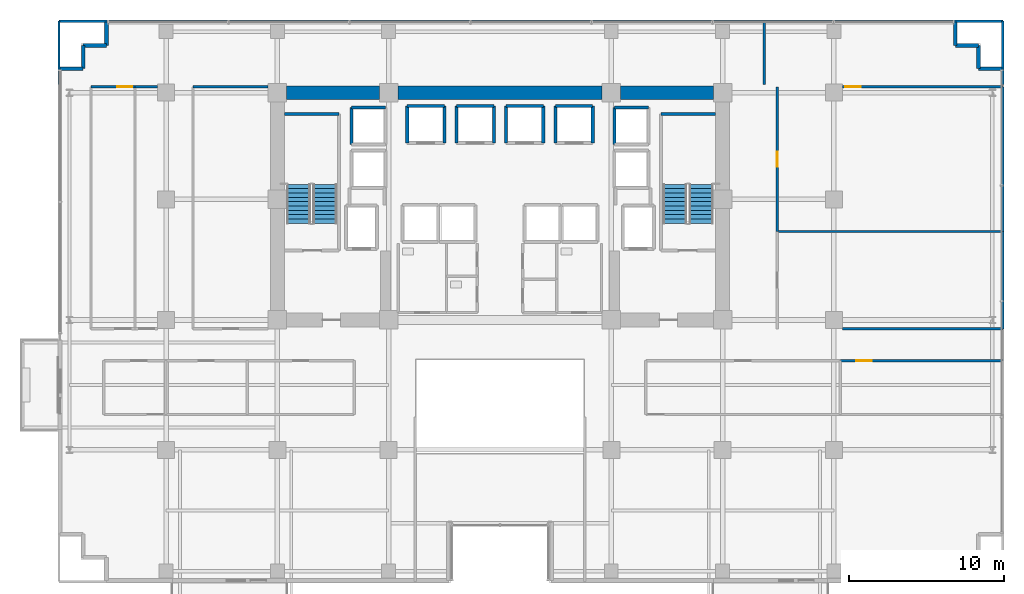
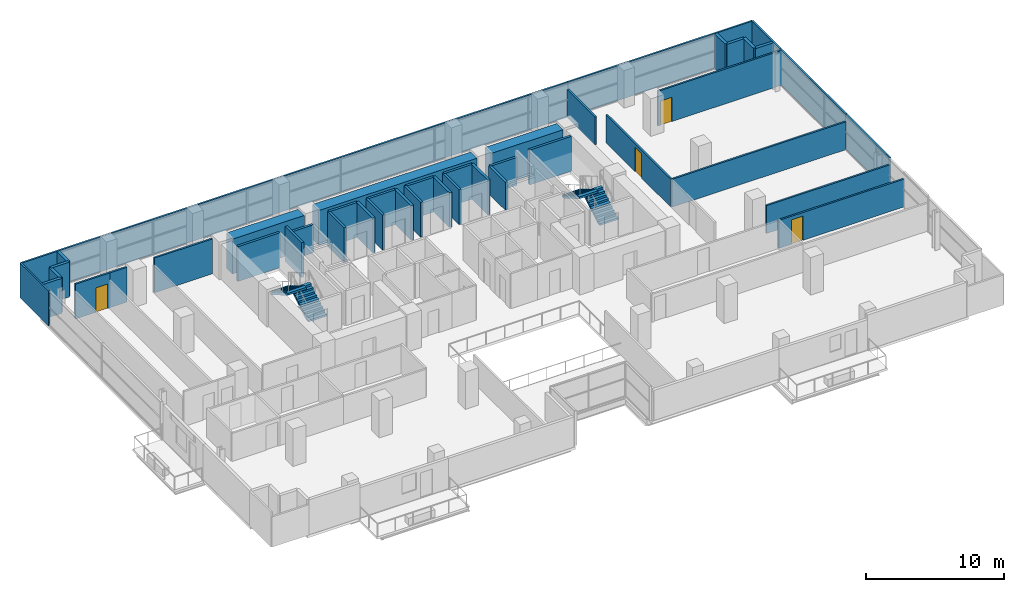
# One storey, part 27 of 31: 44 walls, 4 doors, 4 stair flights, 4 openings, 2 elements without a shape of their own.
"""IFC4 building model written with IfcOpenShell, lengths in metres."""

from ifc_helpers import new_model, si_unit, direction, frame, frame_2d, origin, place, context, subcontext, project, spatial, polyline, rectangle, outline, extrude, source, transform, mapped, material, layer, layer_set, type_object, element, fill, aggregate, save


model = new_model("IFC4")

# Units and contexts
model_context = context("Model", 3, precision=1e-05, world=origin(), true_north=direction((0.0, 1.0)))
body_context = subcontext(model_context, "Body", "Model", "MODEL_VIEW")
ifc_project = project(units=[si_unit("LENGTHUNIT", "METRE"), si_unit("AREAUNIT", "SQUARE_METRE"), si_unit("VOLUMEUNIT", "CUBIC_METRE"), si_unit("PLANEANGLEUNIT", "RADIAN"), si_unit("MASSUNIT", "GRAM", prefix="KILO")], contexts=[model_context])

# Site, building, storey
site_placement = place(None, origin())
site = spatial("IfcSite", under=ifc_project, at=site_placement, CompositionType="ELEMENT")
building_placement = place(site_placement, origin())
building = spatial("IfcBuilding", under=site, at=building_placement, Name="Zarnakvel Exchange Tower", CompositionType="ELEMENT")
storey_placement = place(building_placement, frame((0.0, 0.0, 67.0)))
storey = spatial("IfcBuildingStorey", under=building, at=storey_placement, Name="L18", CompositionType="ELEMENT", Elevation=67.0)

# Walls
ifc_material_1 = material(Name="Concrete C80/95", Category="concrete")
ifc_layer_1 = layer(ifc_material_1, 0.89990234375)
ifc_layer_set_1 = layer_set([ifc_layer_1], Name="Concrete C80/95")
wall_type_1 = type_object("IfcWallType", Name="CW-C1", PredefinedType="SHEAR", material=ifc_layer_set_1)
wall_1_placement = place(storey_placement, frame((-13.800048828125, 13.5, 0.0), z_axis=(0.0, 0.0, 1.0), x_axis=(1.0, 0.0, 0.0)))
element("IfcWall", 1, at=wall_1_placement, inside=storey, type_object=wall_type_1, Name="L18 Rear Core Shear Wall N1 (CW-C1)", PredefinedType="SHEAR", context=body_context, shape_type="SweptSolid", body=[
    extrude(rectangle(XDim=6.0, YDim=0.89990234375, at=frame_2d((3.0, 0.0))), origin(), (0.0, 0.0, 1.0), 3.074951171875),
])
wall_2_placement = place(storey_placement, frame((-6.60009765625, 13.5, 0.0), z_axis=(0.0, 0.0, 1.0), x_axis=(1.0, 0.0, 0.0)))
element("IfcWall", 2, at=wall_2_placement, inside=storey, type_object=wall_type_1, Name="L18 Rear Core Shear Wall N2 (CW-C1)", PredefinedType="SHEAR", context=body_context, shape_type="SweptSolid", body=[
    extrude(rectangle(XDim=13.2001953125, YDim=0.89990234375, at=frame_2d((6.60009765625, 0.0))), origin(), (0.0, 0.0, 1.0), 3.074951171875),
])
wall_3_placement = place(storey_placement, frame((7.800048828125, 13.5, 0.0), z_axis=(0.0, 0.0, 1.0), x_axis=(1.0, 0.0, 0.0)))
element("IfcWall", 3, at=wall_3_placement, inside=storey, type_object=wall_type_1, Name="L18 Rear Core Shear Wall N3 (CW-C1)", PredefinedType="SHEAR", context=body_context, shape_type="SweptSolid", body=[
    extrude(rectangle(XDim=6.0, YDim=0.89990234375, at=frame_2d((3.0, 0.0))), origin(), (0.0, 0.0, 1.0), 3.074951171875),
])
ifc_material_2 = material(Name="Precast concrete C40/50", Category="concrete")
ifc_layer_2 = layer(ifc_material_2, 0.239990234375)
ifc_layer_set_2 = layer_set([ifc_layer_2], Name="Precast concrete C40/50")
wall_type_2 = type_object("IfcWallType", Name="EW-02", PredefinedType="SOLIDWALL", material=ifc_layer_set_2)
for number, where, z_axis, x_axis, name in (
    (4, (-26.9599609375, 15.06005859375, 0.0), (0.0, 0.0, 1.0), (-1.0, 0.0, 0.0), "L18 Exterior Precast Spandrel Wall EWC-L18-03 (EW-02)"),
    (5, (-26.9599609375, 16.56005859375, 0.0), (0.0, 0.0, 1.0), (0.0, -1.0, 0.0), "L18 Exterior Precast Spandrel Wall EWC-L18-04 (EW-02)"),
    (6, (-25.4599609375, 16.56005859375, 0.0), (0.0, 0.0, 1.0), (-1.0, 0.0, 0.0), "L18 Exterior Precast Spandrel Wall EWC-L18-05 (EW-02)"),
    (7, (-25.4599609375, 18.06005859375, 0.0), (0.0, 0.0, 1.0), (0.0, -1.0, 0.0), "L18 Exterior Precast Spandrel Wall EWC-L18-06 (EW-02)"),
    (8, (29.4599609375, 16.56005859375, 0.0), (0.0, 0.0, 1.0), (0.0, 1.0, 0.0), "L18 Exterior Precast Spandrel Wall EWC-L18-07 (EW-02)"),
    (9, (30.9599609375, 16.56005859375, 0.0), (0.0, 0.0, 1.0), (-1.0, 0.0, 0.0), "L18 Exterior Precast Spandrel Wall EWC-L18-08 (EW-02)"),
    (10, (30.9599609375, 15.06005859375, 0.0), (0.0, 0.0, 1.0), (0.0, 1.0, 0.0), "L18 Exterior Precast Spandrel Wall EWC-L18-09 (EW-02)"),
    (11, (32.4599609375, 15.06005859375, 0.0), (0.0, 0.0, 1.0), (-1.0, 0.0, 0.0), "L18 Exterior Precast Spandrel Wall EWC-L18-10 (EW-02)"),
):
    element("IfcWall", number, at=place(storey_placement, frame(where, z_axis=z_axis, x_axis=x_axis)), inside=storey, type_object=wall_type_2, Name=name, PredefinedType="SOLIDWALL", context=body_context, shape_type="SweptSolid", body=[
        extrude(rectangle(XDim=1.5, YDim=0.239990234375, at=frame_2d((0.75, 0.0))), origin(), (0.0, 0.0, 1.0), 3.074951171875),
    ])

# Wall, opening, door
ifc_material_3 = material(Name="Fire-Rated Gypsum Stud Partition", Category="gypsum")
ifc_layer_3 = layer(ifc_material_3, 0.14990234375)
ifc_layer_set_3 = layer_set([ifc_layer_3], Name="Fire-Rated Gypsum Stud Partition")
wall_type_3 = type_object("IfcWallType", Name="PT-01", PredefinedType="PARTITIONING", material=ifc_layer_set_3)
wall_4_placement = place(storey_placement, frame((22.015380859375, -3.830078125, 0.0), z_axis=(0.0, 0.0, 1.0), x_axis=(1.0, 0.0, 0.0)))
wall_4 = element("IfcWall", 12, at=wall_4_placement, inside=storey, type_object=wall_type_3, Name="L18 Partition Wall PWALL-L18-044 (PT-01)", PredefinedType="PARTITIONING", context=body_context, shape_type="SweptSolid", body=[
    extrude(rectangle(XDim=10.5146484375, YDim=0.14990234375, at=frame_2d((5.25732421875, 0.0))), origin(), (0.0, 0.0, 1.0), 2.465087890625),
])
opening_1_placement = place(wall_4_placement, frame((1.04248046875, 0.0, 0.0)))
opening_1 = element("IfcOpeningElement", 13, at=opening_1_placement, cuts=wall_4, Name="Opening D-L18-16", PredefinedType="OPENING", context=body_context, shape_type="SweptSolid", body=[
    extrude(rectangle(XDim=0.97998046875, YDim=2.14990234375, at=frame_2d((0.489990234375, 1.074951171875))), frame((0.0, 0.0849609375, 0.0), z_axis=(0.0, -1.0, 0.0), x_axis=(1.0, 0.0, 0.0)), (0.0, 0.0, 1.0), 0.169921875),
])
ifc_material_4 = material(Name="Timber Acoustic Veneer", Category="wood")
door_type = type_object("IfcDoorType", Name="DT-05", OperationType="NOTDEFINED", PredefinedType="DOOR", material=ifc_material_4)
shared_shape = source(origin(), body_context, "Body", "SweptSolid", [
    extrude(rectangle(XDim=0.97998046875, YDim=2.14990234375, at=frame_2d((0.489990234375, 1.074951171875))), frame((0.0, 0.02490234375, 0.0), z_axis=(0.0, -1.0, 0.0), x_axis=(1.0, 0.0, 0.0)), (0.0, 0.0, 1.0), 0.050048828125),
])
door_1_placement = place(opening_1_placement, origin())
door_1 = element("IfcDoor", 14, at=door_1_placement, inside=storey, type_object=door_type, Name="L18 Executive Office Door D-L18-16", OperationType="SINGLE_SWING_RIGHT", OverallHeight=2.14990234375, OverallWidth=0.97998046875, PredefinedType="DOOR", context=body_context, shape_type="MappedRepresentation", body=[
    mapped(shared_shape, transform((0.0, 0.0, 0.0), x_axis=(1.0, 0.0, 0.0), y_axis=(0.0, 1.0, 0.0), z_axis=(0.0, 0.0, 1.0), scale=1.0)),
])
fill(opening_1, door_1)

wall_5_placement = place(storey_placement, frame((-26.451171875, 13.8798828125, 0.0), z_axis=(0.0, 0.0, 1.0), x_axis=(1.0, 0.0, 0.0)))
wall_5 = element("IfcWall", 15, at=wall_5_placement, inside=storey, type_object=wall_type_3, Name="L18 Partition Wall PWALL-L18-050 (PT-01)", PredefinedType="PARTITIONING", context=body_context, shape_type="SweptSolid", body=[
    extrude(rectangle(XDim=2.84619140625, YDim=0.14990234375, at=frame_2d((1.423095703125, 0.0))), origin(), (0.0, 0.0, 1.0), 3.074951171875),
])
opening_2_placement = place(wall_5_placement, frame((1.686279296875, 0.0, 0.0)))
opening_2 = element("IfcOpeningElement", 16, at=opening_2_placement, cuts=wall_5, Name="Opening D-L18-23", PredefinedType="OPENING", context=body_context, shape_type="SweptSolid", body=[
    extrude(rectangle(XDim=0.97998046875, YDim=2.14990234375, at=frame_2d((0.489990234375, 1.074951171875))), frame((0.0, 0.0849609375, 0.0), z_axis=(0.0, -1.0, 0.0), x_axis=(1.0, 0.0, 0.0)), (0.0, 0.0, 1.0), 0.169921875),
])
door_2_placement = place(opening_2_placement, origin())
door_2 = element("IfcDoor", 17, at=door_2_placement, inside=storey, type_object=door_type, Name="L18 Risk Analytics Suite Door D-L18-23", OperationType="SINGLE_SWING_LEFT", OverallHeight=2.14990234375, OverallWidth=0.97998046875, PredefinedType="DOOR", context=body_context, shape_type="MappedRepresentation", body=[
    mapped(shared_shape, transform((0.0, 0.0, 0.0), x_axis=(1.0, 0.0, 0.0), y_axis=(0.0, 1.0, 0.0), z_axis=(0.0, 0.0, 1.0), scale=1.0)),
])
fill(opening_2, door_2)

# Walls
wall_6_placement = place(storey_placement, frame((-23.60498046875, 13.8798828125, 0.0), z_axis=(0.0, 0.0, 1.0), x_axis=(1.0, 0.0, 0.0)))
element("IfcWall", 18, at=wall_6_placement, inside=storey, type_object=wall_type_3, Name="L18 Partition Wall PWALL-L18-054 (PT-01)", PredefinedType="PARTITIONING", context=body_context, shape_type="SweptSolid", body=[
    extrude(rectangle(XDim=1.43505859375, YDim=0.14990234375, at=frame_2d((0.717529296875, 0.0))), origin(), (0.0, 0.0, 1.0), 3.074951171875),
])
wall_7_placement = place(storey_placement, frame((-19.863037109375, 13.8798828125, 0.0), z_axis=(0.0, 0.0, 1.0), x_axis=(1.0, 0.0, 0.0)))
element("IfcWall", 19, at=wall_7_placement, inside=storey, type_object=wall_type_3, Name="L18 Partition Wall PWALL-L18-057 (PT-01)", PredefinedType="PARTITIONING", context=body_context, shape_type="SweptSolid", body=[
    extrude(rectangle(XDim=4.843017578125, YDim=0.14990234375, at=frame_2d((2.42138671875, 0.0))), origin(), (0.0, 0.0, 1.0), 3.074951171875),
])
wall_8_placement = place(storey_placement, frame((32.530029296875, -1.77001953125, 0.0), z_axis=(0.0, 0.0, 1.0), x_axis=(-1.0, 0.0, 0.0)))
element("IfcWall", 20, at=wall_8_placement, inside=storey, type_object=wall_type_3, Name="L18 Partition Wall PWALL-L18-058 (PT-01)", PredefinedType="PARTITIONING", context=body_context, shape_type="SweptSolid", body=[
    extrude(rectangle(XDim=10.360107421875, YDim=0.14990234375, at=frame_2d((5.18017578125, 0.0))), origin(), (0.0, 0.0, 1.0), 2.465087890625),
])
wall_9_placement = place(storey_placement, frame((17.929931640625, 4.52197265625, 0.0), z_axis=(0.0, 0.0, 1.0), x_axis=(1.0, 0.0, 0.0)))
element("IfcWall", 21, at=wall_9_placement, inside=storey, type_object=wall_type_3, Name="L18 Partition Wall PWALL-L18-059 (PT-01)", PredefinedType="PARTITIONING", context=body_context, shape_type="SweptSolid", body=[
    extrude(rectangle(XDim=14.60009765625, YDim=0.14990234375, at=frame_2d((7.300048828125, 0.0))), origin(), (0.0, 0.0, 1.0), 2.465087890625),
])
wall_10_placement = place(storey_placement, frame((32.530029296875, 4.52197265625, 0.0), z_axis=(0.0, 0.0, 1.0), x_axis=(0.0, -1.0, 0.0)))
element("IfcWall", 22, at=wall_10_placement, inside=storey, type_object=wall_type_3, Name="L18 Partition Wall PWALL-L18-061 (PT-01)", PredefinedType="PARTITIONING", context=body_context, shape_type="SweptSolid", body=[
    extrude(rectangle(XDim=6.2919921875, YDim=0.14990234375, at=frame_2d((3.14599609375, 0.0))), origin(), (0.0, 0.0, 1.0), 3.074951171875),
])

# Wall, opening, door
wall_11_placement = place(storey_placement, frame((22.169921875, 13.8798828125, 0.0), z_axis=(0.0, 0.0, 1.0), x_axis=(1.0, 0.0, 0.0)))
wall_11 = element("IfcWall", 23, at=wall_11_placement, inside=storey, type_object=wall_type_3, Name="L18 Partition Wall PWALL-L18-062 (PT-01)", PredefinedType="PARTITIONING", context=body_context, shape_type="SweptSolid", body=[
    extrude(rectangle(XDim=10.360107421875, YDim=0.14990234375, at=frame_2d((5.18017578125, 0.0))), origin(), (0.0, 0.0, 1.0), 3.074951171875),
])
opening_3_placement = place(wall_11_placement, frame((0.179931640625, 0.0, 0.0)))
opening_3 = element("IfcOpeningElement", 24, at=opening_3_placement, cuts=wall_11, Name="Opening D-L18-24", PredefinedType="OPENING", context=body_context, shape_type="SweptSolid", body=[
    extrude(rectangle(XDim=0.97998046875, YDim=2.14990234375, at=frame_2d((0.489990234375, 1.074951171875))), frame((0.0, 0.0849609375, 0.0), z_axis=(0.0, -1.0, 0.0), x_axis=(1.0, 0.0, 0.0)), (0.0, 0.0, 1.0), 0.169921875),
])
door_3_placement = place(opening_3_placement, origin())
door_3 = element("IfcDoor", 25, at=door_3_placement, inside=storey, type_object=door_type, Name="L18 Members Lounge Door D-L18-24", OperationType="SINGLE_SWING_RIGHT", OverallHeight=2.14990234375, OverallWidth=0.97998046875, PredefinedType="DOOR", context=body_context, shape_type="MappedRepresentation", body=[
    mapped(shared_shape, transform((0.0, 0.0, 0.0), x_axis=(1.0, 0.0, 0.0), y_axis=(0.0, 1.0, 0.0), z_axis=(0.0, 0.0, 1.0), scale=1.0)),
])
fill(opening_3, door_3)

wall_12_placement = place(storey_placement, frame((17.929931640625, 4.52197265625, 0.0), z_axis=(0.0, 0.0, 1.0), x_axis=(0.0, 1.0, 0.0)))
wall_12 = element("IfcWall", 26, at=wall_12_placement, inside=storey, type_object=wall_type_3, Name="L18 Partition Wall PWALL-L18-063 (PT-01)", PredefinedType="PARTITIONING", context=body_context, shape_type="SweptSolid", body=[
    extrude(rectangle(XDim=9.35791015625, YDim=0.14990234375, at=frame_2d((4.678955078125, 0.0))), origin(), (0.0, 0.0, 1.0), 2.465087890625),
])
opening_4_placement = place(wall_12_placement, frame((4.18896484375, 0.0, 0.0)))
opening_4 = element("IfcOpeningElement", 27, at=opening_4_placement, cuts=wall_12, Name="Opening D-L18-22", PredefinedType="OPENING", context=body_context, shape_type="SweptSolid", body=[
    extrude(rectangle(XDim=0.97998046875, YDim=2.14990234375, at=frame_2d((0.489990234375, 1.074951171875))), frame((0.0, 0.0849609375, 0.0), z_axis=(0.0, -1.0, 0.0), x_axis=(1.0, 0.0, 0.0)), (0.0, 0.0, 1.0), 0.169921875),
])
door_4_placement = place(opening_4_placement, origin())
door_4 = element("IfcDoor", 28, at=door_4_placement, inside=storey, type_object=door_type, Name="L18 Risk Analytics Suite Door D-L18-22", OperationType="SINGLE_SWING_RIGHT", OverallHeight=2.14990234375, OverallWidth=0.97998046875, PredefinedType="DOOR", context=body_context, shape_type="MappedRepresentation", body=[
    mapped(shared_shape, transform((0.0, 0.0, 0.0), x_axis=(1.0, 0.0, 0.0), y_axis=(0.0, 1.0, 0.0), z_axis=(0.0, 0.0, 1.0), scale=1.0)),
])
fill(opening_4, door_4)

# Walls
wall_13_placement = place(storey_placement, frame((32.530029296875, 13.8798828125, 0.0), z_axis=(0.0, 0.0, 1.0), x_axis=(0.0, -1.0, 0.0)))
element("IfcWall", 29, at=wall_13_placement, inside=storey, type_object=wall_type_3, Name="L18 Partition Wall PWALL-L18-064 (PT-01)", PredefinedType="PARTITIONING", context=body_context, shape_type="SweptSolid", body=[
    extrude(rectangle(XDim=9.35791015625, YDim=0.14990234375, at=frame_2d((4.678955078125, 0.0))), origin(), (0.0, 0.0, 1.0), 3.074951171875),
])
wall_14_placement = place(storey_placement, frame((-28.530029296875, 18.1298828125, 0.0), z_axis=(0.0, 0.0, 1.0), x_axis=(1.0, 0.0, 0.0)))
element("IfcWall", 30, at=wall_14_placement, inside=storey, type_object=wall_type_3, Name="L18 Partition Wall PWALL-L18-065 (PT-01)", PredefinedType="PARTITIONING", context=body_context, shape_type="SweptSolid", body=[
    extrude(rectangle(XDim=45.630126953125, YDim=0.14990234375, at=frame_2d((22.81494140625, 0.0))), origin(), (0.0, 0.0, 1.0), 3.074951171875),
])
wall_15_placement = place(storey_placement, frame((-28.530029296875, 14.030029296875, 0.0), z_axis=(0.0, 0.0, 1.0), x_axis=(0.0, 1.0, 0.0)))
element("IfcWall", 31, at=wall_15_placement, inside=storey, type_object=wall_type_3, Name="L18 Partition Wall PWALL-L18-066 (PT-01)", PredefinedType="PARTITIONING", context=body_context, shape_type="SweptSolid", body=[
    extrude(rectangle(XDim=4.099853515625, YDim=0.14990234375, at=frame_2d((2.0498046875, 0.0))), origin(), (0.0, 0.0, 1.0), 3.074951171875),
])
wall_16_placement = place(storey_placement, frame((17.10009765625, 18.1298828125, 0.0), z_axis=(0.0, 0.0, 1.0), x_axis=(0.0, -1.0, 0.0)))
element("IfcWall", 32, at=wall_16_placement, inside=storey, type_object=wall_type_3, Name="L18 Partition Wall PWALL-L18-067 (PT-01)", PredefinedType="PARTITIONING", context=body_context, shape_type="SweptSolid", body=[
    extrude(rectangle(XDim=4.099853515625, YDim=0.14990234375, at=frame_2d((2.0498046875, 0.0))), origin(), (0.0, 0.0, 1.0), 2.465087890625),
])
wall_17_placement = place(storey_placement, frame((17.10009765625, 18.1298828125, 0.0), z_axis=(0.0, 0.0, 1.0), x_axis=(1.0, 0.0, 0.0)))
element("IfcWall", 33, at=wall_17_placement, inside=storey, type_object=wall_type_3, Name="L18 Partition Wall PWALL-L18-068 (PT-01)", PredefinedType="PARTITIONING", context=body_context, shape_type="SweptSolid", body=[
    extrude(rectangle(XDim=15.429931640625, YDim=0.14990234375, at=frame_2d((7.71484375, 0.0))), origin(), (0.0, 0.0, 1.0), 3.074951171875),
])
wall_18_placement = place(storey_placement, frame((32.530029296875, 18.1298828125, 0.0), z_axis=(0.0, 0.0, 1.0), x_axis=(0.0, -1.0, 0.0)))
element("IfcWall", 34, at=wall_18_placement, inside=storey, type_object=wall_type_3, Name="L18 Partition Wall PWALL-L18-069 (PT-01)", PredefinedType="PARTITIONING", context=body_context, shape_type="SweptSolid", body=[
    extrude(rectangle(XDim=4.099853515625, YDim=0.14990234375, at=frame_2d((2.0498046875, 0.0))), origin(), (0.0, 0.0, 1.0), 3.074951171875),
])
ifc_material_5 = material(Name="Concrete C40/50", Category="concrete")
ifc_layer_4 = layer(ifc_material_5, 0.199951171875)
ifc_layer_set_4 = layer_set([ifc_layer_4], Name="Concrete C40/50")
wall_type_4 = type_object("IfcWallType", Name="SW-01", PredefinedType="SOLIDWALL", material=ifc_layer_set_4)
for number, where, z_axis, x_axis, name in (
    (35, (-6.0, 12.64990234375, 0.0), (0.0, 0.0, 1.0), (1.0, 0.0, 0.0), "L18 PL-01 Hoistway Wall North"),
    (36, (-6.0, 10.25, 0.0), (0.0, 0.0, 1.0), (0.0, 1.0, 0.0), "L18 PL-01 Hoistway Wall West"),
    (37, (-3.60009765625, 12.64990234375, 0.0), (0.0, 0.0, 1.0), (0.0, -1.0, 0.0), "L18 PL-01 Hoistway Wall East"),
):
    element("IfcWall", number, at=place(storey_placement, frame(where, z_axis=z_axis, x_axis=x_axis)), inside=storey, type_object=wall_type_4, Name=name, PredefinedType="SOLIDWALL", context=body_context, shape_type="SweptSolid", body=[
        extrude(rectangle(XDim=2.39990234375, YDim=0.199951171875, at=frame_2d((1.199951171875, 0.0))), origin(), (0.0, 0.0, 1.0), 3.074951171875),
    ])
wall_19_placement = place(storey_placement, frame((-2.800048828125, 12.64990234375, 0.0), z_axis=(0.0, 0.0, 1.0), x_axis=(1.0, 0.0, 0.0)))
element("IfcWall", 38, at=wall_19_placement, inside=storey, type_object=wall_type_4, Name="L18 PL-02 Hoistway Wall North", PredefinedType="SOLIDWALL", context=body_context, shape_type="SweptSolid", body=[
    extrude(rectangle(XDim=2.400146484375, YDim=0.199951171875, at=frame_2d((1.2001953125, 0.0))), origin(), (0.0, 0.0, 1.0), 3.074951171875),
])
for number, where, z_axis, x_axis, name in (
    (39, (-2.800048828125, 10.25, 0.0), (0.0, 0.0, 1.0), (0.0, 1.0, 0.0), "L18 PL-02 Hoistway Wall West"),
    (40, (-0.39990234375, 12.64990234375, 0.0), (0.0, 0.0, 1.0), (0.0, -1.0, 0.0), "L18 PL-02 Hoistway Wall East"),
):
    element("IfcWall", number, at=place(storey_placement, frame(where, z_axis=z_axis, x_axis=x_axis)), inside=storey, type_object=wall_type_4, Name=name, PredefinedType="SOLIDWALL", context=body_context, shape_type="SweptSolid", body=[
        extrude(rectangle(XDim=2.39990234375, YDim=0.199951171875, at=frame_2d((1.199951171875, 0.0))), origin(), (0.0, 0.0, 1.0), 3.074951171875),
    ])
wall_20_placement = place(storey_placement, frame((0.39990234375, 12.64990234375, 0.0), z_axis=(0.0, 0.0, 1.0), x_axis=(1.0, 0.0, 0.0)))
element("IfcWall", 41, at=wall_20_placement, inside=storey, type_object=wall_type_4, Name="L18 PL-03 Hoistway Wall North", PredefinedType="SOLIDWALL", context=body_context, shape_type="SweptSolid", body=[
    extrude(rectangle(XDim=2.400146484375, YDim=0.199951171875, at=frame_2d((1.2001953125, 0.0))), origin(), (0.0, 0.0, 1.0), 3.074951171875),
])
for number, where, z_axis, x_axis, name in (
    (42, (0.39990234375, 10.25, 0.0), (0.0, 0.0, 1.0), (0.0, 1.0, 0.0), "L18 PL-03 Hoistway Wall West"),
    (43, (2.800048828125, 12.64990234375, 0.0), (0.0, 0.0, 1.0), (0.0, -1.0, 0.0), "L18 PL-03 Hoistway Wall East"),
    (44, (3.60009765625, 12.64990234375, 0.0), (0.0, 0.0, 1.0), (1.0, 0.0, 0.0), "L18 PL-04 Hoistway Wall North"),
    (45, (3.60009765625, 10.25, 0.0), (0.0, 0.0, 1.0), (0.0, 1.0, 0.0), "L18 PL-04 Hoistway Wall West"),
    (46, (6.0, 12.64990234375, 0.0), (0.0, 0.0, 1.0), (0.0, -1.0, 0.0), "L18 PL-04 Hoistway Wall East"),
):
    element("IfcWall", number, at=place(storey_placement, frame(where, z_axis=z_axis, x_axis=x_axis)), inside=storey, type_object=wall_type_4, Name=name, PredefinedType="SOLIDWALL", context=body_context, shape_type="SweptSolid", body=[
        extrude(rectangle(XDim=2.39990234375, YDim=0.199951171875, at=frame_2d((1.199951171875, 0.0))), origin(), (0.0, 0.0, 1.0), 3.074951171875),
    ])
wall_21_placement = place(storey_placement, frame((-9.60009765625, 12.550048828125, 0.0), z_axis=(0.0, 0.0, 1.0), x_axis=(1.0, 0.0, 0.0)))
element("IfcWall", 47, at=wall_21_placement, inside=storey, type_object=wall_type_4, Name="L18 PL-10 Hoistway Wall North", PredefinedType="SOLIDWALL", context=body_context, shape_type="SweptSolid", body=[
    extrude(rectangle(XDim=2.2001953125, YDim=0.199951171875, at=frame_2d((1.10009765625, 0.0))), origin(), (0.0, 0.0, 1.0), 2.465087890625),
])
wall_22_placement = place(storey_placement, frame((-9.60009765625, 10.14990234375, 0.0), z_axis=(0.0, 0.0, 1.0), x_axis=(0.0, 1.0, 0.0)))
element("IfcWall", 48, at=wall_22_placement, inside=storey, type_object=wall_type_4, Name="L18 PL-10 Hoistway Wall West", PredefinedType="SOLIDWALL", context=body_context, shape_type="SweptSolid", body=[
    extrude(rectangle(XDim=2.400146484375, YDim=0.199951171875, at=frame_2d((1.2001953125, 0.0))), origin(), (0.0, 0.0, 1.0), 3.074951171875),
])
wall_23_placement = place(storey_placement, frame((7.39990234375, 12.550048828125, 0.0), z_axis=(0.0, 0.0, 1.0), x_axis=(1.0, 0.0, 0.0)))
element("IfcWall", 49, at=wall_23_placement, inside=storey, type_object=wall_type_4, Name="L18 PL-12 Hoistway Wall North", PredefinedType="SOLIDWALL", context=body_context, shape_type="SweptSolid", body=[
    extrude(rectangle(XDim=2.2001953125, YDim=0.199951171875, at=frame_2d((1.10009765625, 0.0))), origin(), (0.0, 0.0, 1.0), 2.465087890625),
])
wall_24_placement = place(storey_placement, frame((7.39990234375, 10.14990234375, 0.0), z_axis=(0.0, 0.0, 1.0), x_axis=(0.0, 1.0, 0.0)))
element("IfcWall", 50, at=wall_24_placement, inside=storey, type_object=wall_type_4, Name="L18 PL-12 Hoistway Wall West", PredefinedType="SOLIDWALL", context=body_context, shape_type="SweptSolid", body=[
    extrude(rectangle(XDim=2.400146484375, YDim=0.199951171875, at=frame_2d((1.2001953125, 0.0))), origin(), (0.0, 0.0, 1.0), 2.465087890625),
])
ifc_layer_5 = layer(ifc_material_5, 0.199951171875)
ifc_layer_set_5 = layer_set([ifc_layer_5], Name="Concrete C40/50")
wall_type_5 = type_object("IfcWallType", Name="SW-02", PredefinedType="SOLIDWALL", material=ifc_layer_set_5)
for number, where, z_axis, x_axis, name in (
    (51, (-13.929931640625, 12.1298828125, 0.0), (0.0, 0.0, 1.0), (1.0, 0.0, 0.0), "L18 Stairwell Core Wall PWALL-L18-002 (SW-02)"),
    (52, (10.409912109375, 12.1298828125, 0.0), (0.0, 0.0, 1.0), (1.0, 0.0, 0.0), "L18 Stairwell Core Wall PWALL-L18-005 (SW-02)"),
):
    element("IfcWall", number, at=place(storey_placement, frame(where, z_axis=z_axis, x_axis=x_axis)), inside=storey, type_object=wall_type_5, Name=name, PredefinedType="SOLIDWALL", context=body_context, shape_type="SweptSolid", body=[
        extrude(rectangle(XDim=3.52001953125, YDim=0.199951171875, at=frame_2d((1.760009765625, 0.0))), origin(), (0.0, 0.0, 1.0), 3.074951171875),
    ])

# Stair, stair flights
stair_type = type_object("IfcStairType", Name="STR-01", PredefinedType="HALF_TURN_STAIR", material=ifc_material_5)
stair_1_placement = place(storey_placement, origin())
stair_1 = element("IfcStair", 53, at=stair_1_placement, inside=storey, type_object=stair_type, Name="L18 Protected Core Exit Stair ST-01", PredefinedType="HALF_TURN_STAIR")
stair_flight_type = type_object("IfcStairFlightType", Name="FLT-01", PredefinedType="STRAIGHT", material=ifc_material_5)
stair_flight_1_placement = place(storey_placement, frame((-11.31494140625, 5.050048828125, 0.0), z_axis=(0.0, 0.0, 1.0), x_axis=(0.0, 1.0, 0.0)))
stair_flight_1 = element("IfcStairFlight", 54, at=stair_flight_1_placement, type_object=stair_flight_type, Name="ST-01 flight 1", NumberOfRisers=10, NumberOfTreads=9, PredefinedType="STRAIGHT", RiserHeight=0.165, TreadLength=0.28, context=body_context, shape_type="SweptSolid", body=[
    extrude(outline(polyline([(0.0, 0.0), (0.0, 0.1650390625), (0.280029296875, 0.1650390625), (0.280029296875, 0.330078125), (0.56005859375, 0.330078125), (0.56005859375, 0.4951171875), (0.840087890625, 0.4951171875), (0.840087890625, 0.659912109375), (1.1201171875, 0.659912109375), (1.1201171875, 0.824951171875), (1.39990234375, 0.824951171875), (1.39990234375, 0.989990234375), (1.679931640625, 0.989990234375), (1.679931640625, 1.155029296875), (1.9599609375, 1.155029296875), (1.9599609375, 1.320068359375), (2.239990234375, 1.320068359375), (2.239990234375, 1.485107421875), (2.52001953125, 1.485107421875), (2.52001953125, 1.64990234375), (2.52001953125, 1.31103515625), (0.295166015625, 0.0), (0.0, 0.0)])), frame((0.0, 0.77490234375, 0.0), z_axis=(0.0, -1.0, 0.0), x_axis=(1.0, 0.0, 0.0)), (0.0, 0.0, 1.0), 1.550048828125),
])
stair_flight_2_placement = place(storey_placement, frame((-13.02490234375, 7.570068359375, 1.64990234375), z_axis=(0.0, 0.0, 1.0), x_axis=(0.0, -1.0, 0.0)))
stair_flight_2 = element("IfcStairFlight", 55, at=stair_flight_2_placement, type_object=stair_flight_type, Name="ST-01 flight 2", NumberOfRisers=10, NumberOfTreads=9, PredefinedType="STRAIGHT", RiserHeight=0.165, TreadLength=0.28, context=body_context, shape_type="SweptSolid", body=[
    extrude(outline(polyline([(0.0, 0.0), (0.0, 0.1650390625), (0.280029296875, 0.1650390625), (0.280029296875, 0.330078125), (0.56005859375, 0.330078125), (0.56005859375, 0.4951171875), (0.840087890625, 0.4951171875), (0.840087890625, 0.659912109375), (1.1201171875, 0.659912109375), (1.1201171875, 0.824951171875), (1.39990234375, 0.824951171875), (1.39990234375, 0.989990234375), (1.679931640625, 0.989990234375), (1.679931640625, 1.155029296875), (1.9599609375, 1.155029296875), (1.9599609375, 1.320068359375), (2.239990234375, 1.320068359375), (2.239990234375, 1.485107421875), (2.52001953125, 1.485107421875), (2.52001953125, 1.64990234375), (2.52001953125, 1.31103515625), (0.295166015625, 0.0), (0.0, 0.0)])), frame((0.0, 0.77490234375, 0.0), z_axis=(0.0, -1.0, 0.0), x_axis=(1.0, 0.0, 0.0)), (0.0, 0.0, 1.0), 1.550048828125),
])
aggregate(stair_1, [stair_flight_1, stair_flight_2])

stair_2_placement = place(storey_placement, origin())
stair_2 = element("IfcStair", 56, at=stair_2_placement, inside=storey, type_object=stair_type, Name="L18 Protected Core Exit Stair ST-02", PredefinedType="HALF_TURN_STAIR")
stair_flight_3_placement = place(storey_placement, frame((13.02490234375, 5.050048828125, 0.0), z_axis=(0.0, 0.0, 1.0), x_axis=(0.0, 1.0, 0.0)))
stair_flight_3 = element("IfcStairFlight", 57, at=stair_flight_3_placement, type_object=stair_flight_type, Name="ST-02 flight 1", NumberOfRisers=10, NumberOfTreads=9, PredefinedType="STRAIGHT", RiserHeight=0.165, TreadLength=0.28, context=body_context, shape_type="SweptSolid", body=[
    extrude(outline(polyline([(0.0, 0.0), (0.0, 0.1650390625), (0.280029296875, 0.1650390625), (0.280029296875, 0.330078125), (0.56005859375, 0.330078125), (0.56005859375, 0.4951171875), (0.840087890625, 0.4951171875), (0.840087890625, 0.659912109375), (1.1201171875, 0.659912109375), (1.1201171875, 0.824951171875), (1.39990234375, 0.824951171875), (1.39990234375, 0.989990234375), (1.679931640625, 0.989990234375), (1.679931640625, 1.155029296875), (1.9599609375, 1.155029296875), (1.9599609375, 1.320068359375), (2.239990234375, 1.320068359375), (2.239990234375, 1.485107421875), (2.52001953125, 1.485107421875), (2.52001953125, 1.64990234375), (2.52001953125, 1.31103515625), (0.295166015625, 0.0), (0.0, 0.0)])), frame((0.0, 0.77490234375, 0.0), z_axis=(0.0, -1.0, 0.0), x_axis=(1.0, 0.0, 0.0)), (0.0, 0.0, 1.0), 1.550048828125),
])
stair_flight_4_placement = place(storey_placement, frame((11.31494140625, 7.570068359375, 1.64990234375), z_axis=(0.0, 0.0, 1.0), x_axis=(0.0, -1.0, 0.0)))
stair_flight_4 = element("IfcStairFlight", 58, at=stair_flight_4_placement, type_object=stair_flight_type, Name="ST-02 flight 2", NumberOfRisers=10, NumberOfTreads=9, PredefinedType="STRAIGHT", RiserHeight=0.165, TreadLength=0.28, context=body_context, shape_type="SweptSolid", body=[
    extrude(outline(polyline([(0.0, 0.0), (0.0, 0.1650390625), (0.280029296875, 0.1650390625), (0.280029296875, 0.330078125), (0.56005859375, 0.330078125), (0.56005859375, 0.4951171875), (0.840087890625, 0.4951171875), (0.840087890625, 0.659912109375), (1.1201171875, 0.659912109375), (1.1201171875, 0.824951171875), (1.39990234375, 0.824951171875), (1.39990234375, 0.989990234375), (1.679931640625, 0.989990234375), (1.679931640625, 1.155029296875), (1.9599609375, 1.155029296875), (1.9599609375, 1.320068359375), (2.239990234375, 1.320068359375), (2.239990234375, 1.485107421875), (2.52001953125, 1.485107421875), (2.52001953125, 1.64990234375), (2.52001953125, 1.31103515625), (0.295166015625, 0.0), (0.0, 0.0)])), frame((0.0, 0.77490234375, 0.0), z_axis=(0.0, -1.0, 0.0), x_axis=(1.0, 0.0, 0.0)), (0.0, 0.0, 1.0), 1.550048828125),
])
aggregate(stair_2, [stair_flight_3, stair_flight_4])

save(model, "model.ifc")
